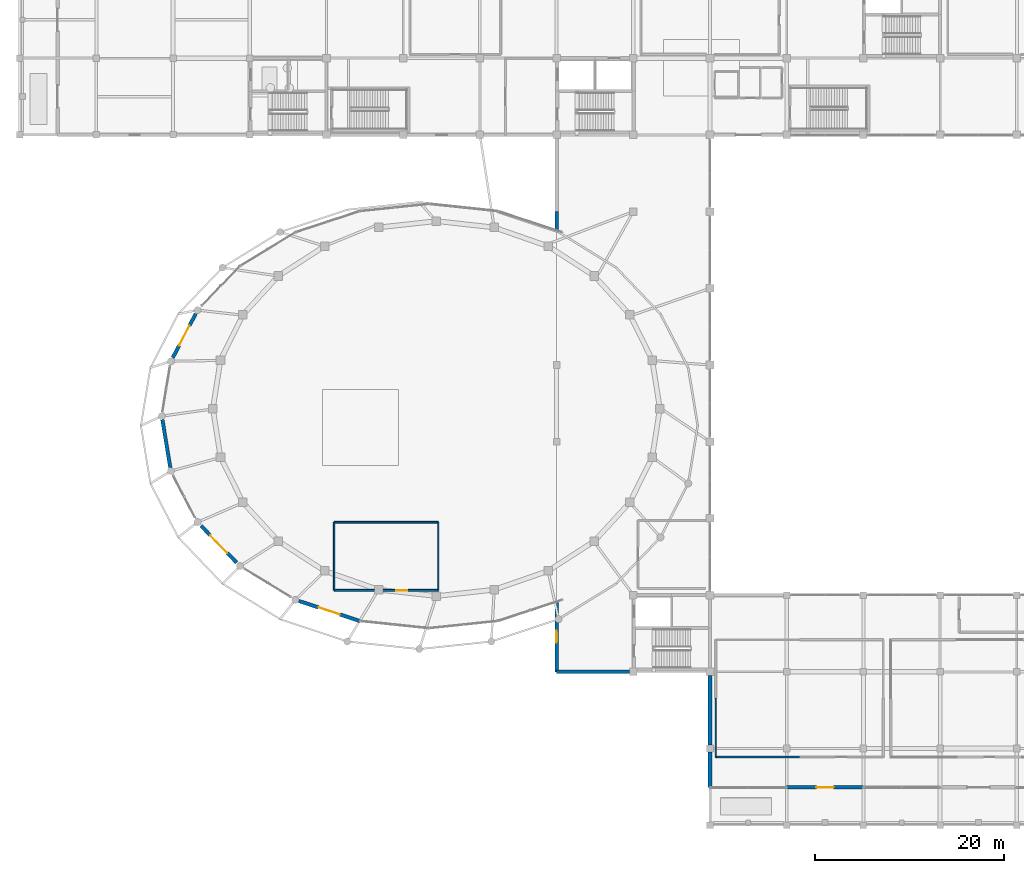
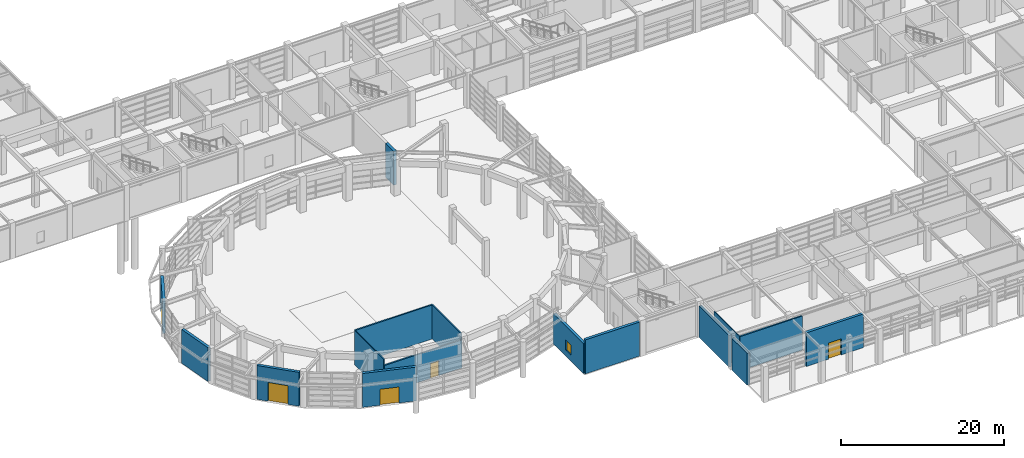
# One storey, part 35 of 52: 16 walls, 5 doors, 1 window, 6 openings.
"""IFC4 building model written with IfcOpenShell, lengths in metres."""

import ifcopenshell
import ifcopenshell.guid

model = None  # the IFC model being written
_history = None  # IfcOwnerHistory: only IFC2X3 demands one
_inside = {}  # id of a spatial element -> (the spatial element, [elements in it])
_under = {}  # id of a project, library or spatial element -> (it, [spatial elements below it])
_declared = {}  # id of a project -> (the project, [libraries it declares])
_typed = {}  # id of a type object -> (the type object, [elements of that type])
_made_of = {}  # id of a material, layer set ... -> (it, [elements and type objects made of it])


def new_model(schema):
    """Start an empty IFC model of exactly this schema.

    Asked for "IFC4X3", IfcOpenShell would pick the latest addendum, in which some entities
    have other attributes; the version numbers below select the first issue.
    IFC2X3 requires an IfcOwnerHistory on every rooted entity: one is made here for all.
    """
    global model, _history
    if schema == "IFC4X3":
        model = ifcopenshell.file(schema_version=(4, 3, 0, 0))
    else:
        model = ifcopenshell.file(schema=schema)
    _inside.clear()
    _under.clear()
    _declared.clear()
    _typed.clear()
    _made_of.clear()
    _history = None
    if model.schema == "IFC2X3":
        org = make("IfcOrganization", Name="unknown")
        user = make(
            "IfcPersonAndOrganization",
            ThePerson=make("IfcPerson", FamilyName="unknown"),
            TheOrganization=org,
        )
        app = make(
            "IfcApplication",
            ApplicationDeveloper=org,
            Version="unknown",
            ApplicationFullName="unknown",
            ApplicationIdentifier="unknown",
        )
        _history = make(
            "IfcOwnerHistory",
            OwningUser=user,
            OwningApplication=app,
            ChangeAction="ADDED",
            CreationDate=0,
        )
    return model


def make(cls, **values):
    """One entity of the class cls with the attributes given. An attribute that is None is left unset."""
    return model.create_entity(
        cls, **{name: value for name, value in values.items() if value is not None}
    )


def rooted(cls, **values):
    """An entity with a GlobalId (a new one), such as an element, a storey or a relation."""
    return make(cls, GlobalId=ifcopenshell.guid.new(), OwnerHistory=_history, **values)


def si_unit(unit_type, name, prefix=None):
    """IfcSIUnit, for example si_unit("LENGTHUNIT", "METRE", prefix="MILLI")."""
    return make("IfcSIUnit", UnitType=unit_type, Prefix=prefix, Name=name)


def assignment(units):
    """IfcUnitAssignment: the units of a project."""
    return None if units is None else make("IfcUnitAssignment", Units=units)


def point(xyz):
    """IfcCartesianPoint."""
    return None if xyz is None else make("IfcCartesianPoint", Coordinates=xyz)


def direction(xyz):
    """IfcDirection."""
    return None if xyz is None else make("IfcDirection", DirectionRatios=xyz)


def frame(location, z_axis=None, x_axis=None):
    """IfcAxis2Placement3D, a coordinate frame: its origin and axes. An axis left out is left unset."""
    return make(
        "IfcAxis2Placement3D",
        Location=point(location),
        Axis=direction(z_axis),
        RefDirection=direction(x_axis),
    )


def frame_2d(location, x_axis=None):
    """IfcAxis2Placement2D, a coordinate frame in the plane: its origin and x axis."""
    return make(
        "IfcAxis2Placement2D", Location=point(location), RefDirection=direction(x_axis)
    )


def origin():
    """The frame at (0, 0, 0) with its axes left unset."""
    return frame((0.0, 0.0, 0.0))


def place(relative_to, where):
    """IfcLocalPlacement: puts the frame where relative to a parent placement (None: the world)."""
    return make(
        "IfcLocalPlacement", PlacementRelTo=relative_to, RelativePlacement=where
    )


def context(
    kind, dimensions, precision=None, world=None, true_north=None, identifier=None
):
    """IfcGeometricRepresentationContext, for example the 3D "Model" context."""
    return make(
        "IfcGeometricRepresentationContext",
        ContextIdentifier=identifier,
        ContextType=kind,
        CoordinateSpaceDimension=dimensions,
        Precision=precision,
        WorldCoordinateSystem=world,
        TrueNorth=true_north,
    )


def subcontext(parent, identifier, kind, view, scale=None):
    """IfcGeometricRepresentationSubContext, for example "Body" below "Model"."""
    return make(
        "IfcGeometricRepresentationSubContext",
        ContextIdentifier=identifier,
        ContextType=kind,
        ParentContext=parent,
        TargetScale=scale,
        TargetView=view,
    )


def project(units=None, contexts=None):
    """IfcProject with its units and contexts."""
    return rooted(
        "IfcProject",
        Name="project",
        RepresentationContexts=contexts,
        UnitsInContext=assignment(units),
    )


def spatial(cls, under=None, at=None, **own):
    """A site, building, storey or space (cls), placed at a placement, below another one or the project."""
    s = rooted(cls, ObjectPlacement=at, **own)
    if under is not None:
        _under.setdefault(under.id(), (under, []))[1].append(s)
    return s


def profile(cls, at=None, kind="AREA", **sizes):
    """A parametric profile (cls). Its sizes go by their IFC names, for example OverallWidth=200.0."""
    return make(cls, ProfileType=kind, Position=at, **sizes)


def rectangle(**sizes):
    """IfcRectangleProfileDef."""
    return profile("IfcRectangleProfileDef", **sizes)


def extrude(swept, where, along, depth):
    """IfcExtrudedAreaSolid: the profile swept, set in the frame where, extruded along a direction by depth."""
    return make(
        "IfcExtrudedAreaSolid",
        SweptArea=swept,
        Position=where,
        ExtrudedDirection=direction(along),
        Depth=depth,
    )


def shape(context_of_items, identifier, shape_type, items):
    """IfcShapeRepresentation: the items that make up one representation, for example the "Body"."""
    return make(
        "IfcShapeRepresentation",
        ContextOfItems=context_of_items,
        RepresentationIdentifier=identifier,
        RepresentationType=shape_type,
        Items=items,
    )


def material(Name=None, Category=None):
    """IfcMaterial."""
    return make("IfcMaterial", Name=Name, Category=Category)


def layer(
    of_material, thickness, ventilated=None, Name=None, Category=None, Priority=None
):
    """IfcMaterialLayer: one layer of a wall or slab, of a material (None: an air gap)."""
    return make(
        "IfcMaterialLayer",
        Material=of_material,
        LayerThickness=thickness,
        IsVentilated=ventilated,
        Name=Name,
        Category=Category,
        Priority=Priority,
    )


def layer_set(layers, Name=None):
    """IfcMaterialLayerSet."""
    return make("IfcMaterialLayerSet", MaterialLayers=layers, LayerSetName=Name)


def made_of(thing, what):
    """Note that an element or type object is made of a material, layer set ...; save() writes the relation."""
    if what is not None:
        _made_of.setdefault(what.id(), (what, []))[1].append(thing)
    return thing


def type_object(cls, material=None, **own):
    """A type object (cls), such as IfcWallType, which elements share."""
    return made_of(rooted(cls, **own), material)


def element(
    cls,
    number,
    at=None,
    inside=None,
    cuts=None,
    type_object=None,
    material=None,
    context=None,
    identifier="Body",
    shape_type=None,
    held_by="IfcProductDefinitionShape",
    body=None,
    shapes=None,
    **own,
):
    """One element of the class cls, such as IfcWall. Its Tag is "e" and its number.

    at: its placement. inside: the storey or other place that contains it. cuts: it is an
    opening in that element (IfcRelVoidsElement). A single representation is given by context,
    identifier, shape_type and body (its items); several are given by shapes. held_by: the class
    of the entity that holds the representations. save() writes the other relations.
    """
    e = rooted(cls, Tag="e%d" % number, ObjectPlacement=at, **own)
    if body is not None:
        shapes = [shape(context, identifier, shape_type, body)]
    if shapes is not None:
        e.Representation = make(held_by, Representations=shapes)
    if inside is not None:
        _inside.setdefault(inside.id(), (inside, []))[1].append(e)
    if cuts is not None:
        rooted(
            "IfcRelVoidsElement", RelatingBuildingElement=cuts, RelatedOpeningElement=e
        )
    if type_object is not None:
        _typed.setdefault(type_object.id(), (type_object, []))[1].append(e)
    return made_of(e, material)


def fill(opening, filler):
    """IfcRelFillsElement: the door or window that sits in an opening."""
    return rooted(
        "IfcRelFillsElement",
        RelatingOpeningElement=opening,
        RelatedBuildingElement=filler,
    )


def aggregate(whole, parts):
    """IfcRelAggregates: a whole, such as a stair, and the parts it consists of."""
    return rooted("IfcRelAggregates", RelatingObject=whole, RelatedObjects=parts)


def save(model, path):
    """Write the relations noted so far, then the file.

    IfcRelAggregates (storeys below a building ...), IfcRelContainedInSpatialStructure (elements
    in a storey), IfcRelDefinesByType, IfcRelAssociatesMaterial and IfcRelDeclares: one each for
    every whole, place, type object, material and project.
    """
    for whole, parts in _under.values():
        aggregate(whole, parts)
    for where, things in _inside.values():
        rooted(
            "IfcRelContainedInSpatialStructure",
            RelatedElements=things,
            RelatingStructure=where,
        )
    for kind, things in _typed.values():
        rooted("IfcRelDefinesByType", RelatedObjects=things, RelatingType=kind)
    for what, things in _made_of.values():
        rooted("IfcRelAssociatesMaterial", RelatedObjects=things, RelatingMaterial=what)
    for by, libraries in _declared.values():
        rooted("IfcRelDeclares", RelatingContext=by, RelatedDefinitions=libraries)
    model.write(path)


model = new_model("IFC4")

# Units and contexts
model_context = context("Model", 3, precision=1e-05, world=origin(), true_north=direction((0.0, 1.0)))
body_context = subcontext(model_context, "Body", "Model", "MODEL_VIEW")
ifc_project = project(units=[si_unit("LENGTHUNIT", "METRE"), si_unit("AREAUNIT", "SQUARE_METRE"), si_unit("VOLUMEUNIT", "CUBIC_METRE"), si_unit("PLANEANGLEUNIT", "RADIAN"), si_unit("MASSUNIT", "GRAM", prefix="KILO")], contexts=[model_context])

# Site, building, storey
site_placement = place(None, origin())
site = spatial("IfcSite", under=ifc_project, at=site_placement, CompositionType="ELEMENT")
building_placement = place(site_placement, origin())
building = spatial("IfcBuilding", under=site, at=building_placement, Name="Parian Resonance Hall", CompositionType="ELEMENT")
storey_placement = place(building_placement, origin())
storey = spatial("IfcBuildingStorey", under=building, at=storey_placement, Name="L00", CompositionType="ELEMENT", Elevation=0.0)

# Wall, opening, door
ifc_material_1 = material(Name="Concrete C35/45 with Carcar coral-limestone ashlar", Category="masonry")
ifc_layer_1 = layer(ifc_material_1, 0.3798828125)
ifc_layer_set_1 = layer_set([ifc_layer_1], Name="Concrete C35/45 with Carcar coral-limestone ashlar")
wall_type_1 = type_object("IfcWallType", Name="EW-PLINTH-380", PredefinedType="SOLIDWALL", material=ifc_layer_set_1)
wall_1_placement = place(storey_placement, frame((16.156494140625, 49.37255859375, 0.0), z_axis=(0.0, 0.0, 1.0), x_axis=(0.462373582157, 0.886685215013, 0.0)))
wall_1 = element("IfcWall", 1, at=wall_1_placement, inside=storey, type_object=wall_type_1, Name="Exterior wall EW-L00-0001", PredefinedType="SOLIDWALL", context=body_context, shape_type="SweptSolid", body=[
    extrude(rectangle(XDim=5.246826171875, YDim=0.3798828125, at=frame_2d((2.62353515625, 0.0))), origin(), (0.0, 0.0, 1.0), 5.080078125),
])
opening_1_placement = place(wall_1_placement, frame((1.443603515625, 0.0, 0.0)))
opening_1 = element("IfcOpeningElement", 2, at=opening_1_placement, cuts=wall_1, Name="Opening EX-01", PredefinedType="OPENING", context=body_context, shape_type="SweptSolid", body=[
    extrude(rectangle(XDim=2.360107421875, YDim=2.39990234375, at=frame_2d((1.18017578125, 1.199951171875))), frame((0.0, 0.199951171875, 0.0), z_axis=(0.0, -1.0, 0.0), x_axis=(1.0, 0.0, 0.0)), (0.0, 0.0, 1.0), 0.39990234375),
])
ifc_material_2 = material(Name="Marine-grade bronze and acoustic glazed door")
door_type_1 = type_object("IfcDoorType", Name="ED-EXIT-2000x2400", OperationType="NOTDEFINED", PredefinedType="DOOR", material=ifc_material_2)
door_1_placement = place(opening_1_placement, origin())
door_1 = element("IfcDoor", 3, at=door_1_placement, inside=storey, type_object=door_type_1, Name="Grand foyer final exit door EX-V1-01", OperationType="DOUBLE_DOOR_SINGLE_SWING", OverallHeight=2.39990234375, OverallWidth=2.360107421875, PredefinedType="DOOR", context=body_context, shape_type="SweptSolid", body=[
    extrude(rectangle(XDim=2.360107421875, YDim=2.39990234375, at=frame_2d((1.18017578125, 1.199951171875))), frame((0.0, 0.02490234375, 0.0), z_axis=(0.0, -1.0, 0.0), x_axis=(1.0, 0.0, 0.0)), (0.0, 0.0, 1.0), 0.050048828125),
])
fill(opening_1, door_1)

# Wall
wall_2_placement = place(storey_placement, frame((15.898681640625, 37.777587890625, 0.0), z_axis=(0.0, 0.0, 1.0), x_axis=(-0.163485804501, 0.986545686589, 0.0)))
element("IfcWall", 4, at=wall_2_placement, inside=storey, type_object=wall_type_1, Name="Exterior wall EW-L00-0002", PredefinedType="SOLIDWALL", context=body_context, shape_type="SweptSolid", body=[
    extrude(rectangle(XDim=5.1162109375, YDim=0.3798828125, at=frame_2d((2.55810546875, 0.0))), origin(), (0.0, 0.0, 1.0), 5.080078125),
])

# Wall, opening, door
wall_3_placement = place(storey_placement, frame((22.897216796875, 27.73583984375, 0.0), z_axis=(0.0, 0.0, 1.0), x_axis=(-0.694765313224, 0.719236511546, 0.0)))
wall_3 = element("IfcWall", 5, at=wall_3_placement, inside=storey, type_object=wall_type_1, Name="Exterior wall EW-L00-0003", PredefinedType="SOLIDWALL", context=body_context, shape_type="SweptSolid", body=[
    extrude(rectangle(XDim=5.4072265625, YDim=0.3798828125, at=frame_2d((2.70361328125, 0.0))), origin(), (0.0, 0.0, 1.0), 5.080078125),
])
opening_2_placement = place(wall_3_placement, frame((1.423583984375, 0.0, 0.0)))
opening_2 = element("IfcOpeningElement", 6, at=opening_2_placement, cuts=wall_3, Name="Opening EX-02", PredefinedType="OPENING", context=body_context, shape_type="SweptSolid", body=[
    extrude(rectangle(XDim=2.56005859375, YDim=2.800048828125, at=frame_2d((1.280029296875, 1.39990234375))), frame((0.0, 0.199951171875, 0.0), z_axis=(0.0, -1.0, 0.0), x_axis=(1.0, 0.0, 0.0)), (0.0, 0.0, 1.0), 0.39990234375),
])
ifc_material_3 = material(Name="Marine-grade bronze and acoustic glazed door")
door_type_2 = type_object("IfcDoorType", Name="ED-MAIN-2400x2800", OperationType="NOTDEFINED", PredefinedType="DOOR", material=ifc_material_3)
door_2_placement = place(opening_2_placement, origin())
door_2 = element("IfcDoor", 7, at=door_2_placement, inside=storey, type_object=door_type_2, Name="Grand foyer final exit door EX-V1-03", OperationType="DOUBLE_DOOR_SINGLE_SWING", OverallHeight=2.800048828125, OverallWidth=2.56005859375, PredefinedType="DOOR", context=body_context, shape_type="SweptSolid", body=[
    extrude(rectangle(XDim=2.56005859375, YDim=2.800048828125, at=frame_2d((1.280029296875, 1.39990234375))), frame((0.0, 0.02490234375, 0.0), z_axis=(0.0, -1.0, 0.0), x_axis=(1.0, 0.0, 0.0)), (0.0, 0.0, 1.0), 0.050048828125),
])
fill(opening_2, door_2)

wall_4_placement = place(storey_placement, frame((35.9013671875, 21.563232421875, 0.0), z_axis=(0.0, 0.0, 1.0), x_axis=(-0.949910284605, 0.312522721096, 0.0)))
wall_4 = element("IfcWall", 8, at=wall_4_placement, inside=storey, type_object=wall_type_1, Name="Exterior wall EW-L00-0004", PredefinedType="SOLIDWALL", context=body_context, shape_type="SweptSolid", body=[
    extrude(rectangle(XDim=6.76513671875, YDim=0.3798828125, at=frame_2d((3.382568359375, 0.0))), origin(), (0.0, 0.0, 1.0), 5.080078125),
])
opening_3_placement = place(wall_4_placement, frame((2.20263671875, 0.0, 0.0)))
opening_3 = element("IfcOpeningElement", 9, at=opening_3_placement, cuts=wall_4, Name="Opening EX-01", PredefinedType="OPENING", context=body_context, shape_type="SweptSolid", body=[
    extrude(rectangle(XDim=2.360107421875, YDim=2.39990234375, at=frame_2d((1.18017578125, 1.199951171875))), frame((0.0, 0.199951171875, 0.0), z_axis=(0.0, -1.0, 0.0), x_axis=(1.0, 0.0, 0.0)), (0.0, 0.0, 1.0), 0.39990234375),
])
door_3_placement = place(opening_3_placement, origin())
door_3 = element("IfcDoor", 10, at=door_3_placement, inside=storey, type_object=door_type_1, Name="Grand foyer final exit door EX-V1-04", OperationType="DOUBLE_DOOR_SINGLE_SWING", OverallHeight=2.39990234375, OverallWidth=2.360107421875, PredefinedType="DOOR", context=body_context, shape_type="SweptSolid", body=[
    extrude(rectangle(XDim=2.360107421875, YDim=2.39990234375, at=frame_2d((1.18017578125, 1.199951171875))), frame((0.0, 0.02490234375, 0.0), z_axis=(0.0, -1.0, 0.0), x_axis=(1.0, 0.0, 0.0)), (0.0, 0.0, 1.0), 0.050048828125),
])
fill(opening_3, door_3)

wall_5_placement = place(storey_placement, frame((89.10009765625, 4.0, 0.0), z_axis=(0.0, 0.0, 1.0), x_axis=(-1.0, 0.0, 0.0)))
wall_5 = element("IfcWall", 11, at=wall_5_placement, inside=storey, type_object=wall_type_1, Name="Exterior wall EW-L00-0128", PredefinedType="SOLIDWALL", context=body_context, shape_type="SweptSolid", body=[
    extrude(rectangle(XDim=8.10009765625, YDim=0.3798828125, at=frame_2d((4.050048828125, 0.0))), origin(), (0.0, 0.0, 1.0), 5.050048828125),
])
opening_4_placement = place(wall_5_placement, frame((3.139892578125, 0.0, 0.0)))
opening_4 = element("IfcOpeningElement", 12, at=opening_4_placement, cuts=wall_5, Name="Opening EX-03", PredefinedType="OPENING", context=body_context, shape_type="SweptSolid", body=[
    extrude(rectangle(XDim=1.820068359375, YDim=2.419921875, at=frame_2d((0.91015625, 1.2099609375))), frame((0.0, 0.199951171875, 0.0), z_axis=(0.0, -1.0, 0.0), x_axis=(1.0, 0.0, 0.0)), (0.0, 0.0, 1.0), 0.39990234375),
])
ifc_material_4 = material(Name="Marine-grade bronze and acoustic glazed door")
door_type_3 = type_object("IfcDoorType", Name="ED-SHOP-1820x2420", OperationType="NOTDEFINED", PredefinedType="DOOR", material=ifc_material_4)
door_4_placement = place(opening_4_placement, origin())
door_4 = element("IfcDoor", 13, at=door_4_placement, inside=storey, type_object=door_type_3, Name="South boulevard exit door EX-V3-10", OperationType="DOUBLE_DOOR_SINGLE_SWING", OverallHeight=2.419921875, OverallWidth=1.820068359375, PredefinedType="DOOR", context=body_context, shape_type="SweptSolid", body=[
    extrude(rectangle(XDim=1.820068359375, YDim=2.419921875, at=frame_2d((0.91015625, 1.2099609375))), frame((0.0, 0.02490234375, 0.0), z_axis=(0.0, -1.0, 0.0), x_axis=(1.0, 0.0, 0.0)), (0.0, 0.0, 1.0), 0.050048828125),
])
fill(opening_4, door_4)

# Wall
wall_6_placement = place(storey_placement, frame((56.699951171875, 64.800048828125, 0.0), z_axis=(0.0, 0.0, 1.0), x_axis=(0.0, -1.0, 0.0)))
element("IfcWall", 14, at=wall_6_placement, inside=storey, type_object=wall_type_1, Name="Perimeter closure wall L00", PredefinedType="SOLIDWALL", context=body_context, shape_type="SweptSolid", body=[
    extrude(rectangle(XDim=2.004150390625, YDim=0.3798828125, at=frame_2d((1.001953125, 0.0))), origin(), (0.0, 0.0, 1.0), 5.10009765625),
])

# Wall, opening, window
wall_7_placement = place(storey_placement, frame((56.699951171875, 23.60400390625, 0.0), z_axis=(0.0, 0.0, 1.0), x_axis=(0.0, -1.0, 0.0)))
wall_7 = element("IfcWall", 15, at=wall_7_placement, inside=storey, type_object=wall_type_1, Name="Perimeter closure wall L00", PredefinedType="SOLIDWALL", context=body_context, shape_type="SweptSolid", body=[
    extrude(rectangle(XDim=7.404052734375, YDim=0.3798828125, at=frame_2d((3.7021484375, 0.0))), origin(), (0.0, 0.0, 1.0), 4.507080078125),
])
opening_5_placement = place(wall_7_placement, frame((3.076904296875, 0.0, 0.89990234375)))
opening_5 = element("IfcOpeningElement", 16, at=opening_5_placement, cuts=wall_7, Name="Opening WN-14", PredefinedType="OPENING", context=body_context, shape_type="SweptSolid", body=[
    extrude(rectangle(XDim=1.25, YDim=1.550048828125, at=frame_2d((0.625, 0.77490234375))), frame((0.0, 0.199951171875, 0.0), z_axis=(0.0, -1.0, 0.0), x_axis=(1.0, 0.0, 0.0)), (0.0, 0.0, 1.0), 0.39990234375),
])
ifc_material_5 = material(Name="Acoustic laminated double glazing", Category="glass")
window_type = type_object("IfcWindowType", Name="WIN-1250x1550", PartitioningType="SINGLE_PANEL", PredefinedType="WINDOW", material=ifc_material_5)
window_placement = place(opening_5_placement, origin())
window = element("IfcWindow", 17, at=window_placement, inside=storey, type_object=window_type, Name="Acoustic window L00-0055", OverallHeight=1.550048828125, OverallWidth=1.25, PartitioningType="SINGLE_PANEL", PredefinedType="WINDOW", context=body_context, shape_type="SweptSolid", body=[
    extrude(rectangle(XDim=1.25, YDim=1.550048828125, at=frame_2d((0.625, 0.77490234375))), frame((0.0, 0.030029296875, 0.0), z_axis=(0.0, -1.0, 0.0), x_axis=(1.0, 0.0, 0.0)), (0.0, 0.0, 1.0), 0.06005859375),
])
fill(opening_5, window)

# Walls
wall_8_placement = place(storey_placement, frame((56.699951171875, 16.199951171875, 0.0), z_axis=(0.0, 0.0, 1.0), x_axis=(1.0, 0.0, 0.0)))
element("IfcWall", 18, at=wall_8_placement, inside=storey, type_object=wall_type_1, Name="Perimeter closure wall L00", PredefinedType="SOLIDWALL", context=body_context, shape_type="SweptSolid", body=[
    extrude(rectangle(XDim=7.699951171875, YDim=0.3798828125, at=frame_2d((3.85009765625, 0.0))), origin(), (0.0, 0.0, 1.0), 5.10009765625),
])
wall_9_placement = place(storey_placement, frame((72.89990234375, 15.800048828125, 0.0), z_axis=(0.0, 0.0, 1.0), x_axis=(0.0, -1.0, 0.0)))
element("IfcWall", 19, at=wall_9_placement, inside=storey, type_object=wall_type_1, Name="Perimeter closure wall L00", PredefinedType="SOLIDWALL", context=body_context, shape_type="SweptSolid", body=[
    extrude(rectangle(XDim=7.35009765625, YDim=0.3798828125, at=frame_2d((3.675048828125, 0.0))), origin(), (0.0, 0.0, 1.0), 4.737060546875),
])
wall_10_placement = place(storey_placement, frame((72.89990234375, 7.75, 0.0), z_axis=(0.0, 0.0, 1.0), x_axis=(0.0, -1.0, 0.0)))
element("IfcWall", 20, at=wall_10_placement, inside=storey, type_object=wall_type_1, Name="Perimeter closure wall L00", PredefinedType="SOLIDWALL", context=body_context, shape_type="SweptSolid", body=[
    extrude(rectangle(XDim=3.75, YDim=0.3798828125, at=frame_2d((1.875, 0.0))), origin(), (0.0, 0.0, 1.0), 4.737060546875),
])

# Wall, opening, door
ifc_material_6 = material(Name="Concrete C35/45 fire barrier", Category="concrete")
ifc_layer_2 = layer(ifc_material_6, 0.199951171875)
ifc_layer_set_2 = layer_set([ifc_layer_2], Name="Concrete C35/45 fire barrier")
wall_type_2 = type_object("IfcWallType", Name="FW200", PredefinedType="PARTITIONING", material=ifc_layer_set_2)
wall_11_placement = place(storey_placement, frame((44.199951171875, 24.800048828125, 0.0), z_axis=(0.0, 0.0, 1.0), x_axis=(-1.0, 0.0, 0.0)))
wall_11 = element("IfcWall", 21, at=wall_11_placement, inside=storey, type_object=wall_type_2, Name="Interior acoustic partition IW-L00-0046", PredefinedType="PARTITIONING", context=body_context, shape_type="SweptSolid", body=[
    extrude(rectangle(XDim=11.0, YDim=0.199951171875, at=frame_2d((5.5, 0.0))), origin(), (0.0, 0.0, 1.0), 4.22412109375),
])
opening_6_placement = place(wall_11_placement, frame((3.260009765625, 0.0, 0.0)))
opening_6 = element("IfcOpeningElement", 22, at=opening_6_placement, cuts=wall_11, Name="Opening ID-11", PredefinedType="OPENING", context=body_context, shape_type="SweptSolid", body=[
    extrude(rectangle(XDim=1.179931640625, YDim=2.219970703125, at=frame_2d((0.58984375, 1.10986328125))), frame((0.0, 0.10986328125, 0.0), z_axis=(0.0, -1.0, 0.0), x_axis=(1.0, 0.0, 0.0)), (0.0, 0.0, 1.0), 0.219970703125),
])
ifc_material_7 = material(Name="Philippine narra acoustic timber door", Category="wood")
door_type_4 = type_object("IfcDoorType", Name="ID-STU-1180x2220", OperationType="NOTDEFINED", PredefinedType="DOOR", material=ifc_material_7)
door_5_placement = place(opening_6_placement, origin())
door_5 = element("IfcDoor", 23, at=door_5_placement, inside=storey, type_object=door_type_4, Name="Box Office and Ticket Counters door", OperationType="SINGLE_SWING_RIGHT", OverallHeight=2.219970703125, OverallWidth=1.179931640625, PredefinedType="DOOR", context=body_context, shape_type="SweptSolid", body=[
    extrude(rectangle(XDim=1.179931640625, YDim=2.219970703125, at=frame_2d((0.58984375, 1.10986328125))), frame((0.0, 0.02490234375, 0.0), z_axis=(0.0, -1.0, 0.0), x_axis=(1.0, 0.0, 0.0)), (0.0, 0.0, 1.0), 0.050048828125),
])
fill(opening_6, door_5)

# Walls
wall_12_placement = place(storey_placement, frame((33.199951171875, 32.0, 0.0), z_axis=(0.0, 0.0, 1.0), x_axis=(1.0, 0.0, 0.0)))
element("IfcWall", 24, at=wall_12_placement, inside=storey, type_object=wall_type_2, Name="Interior acoustic partition IW-L00-0048", PredefinedType="PARTITIONING", context=body_context, shape_type="SweptSolid", body=[
    extrude(rectangle(XDim=11.0, YDim=0.199951171875, at=frame_2d((5.5, 0.0))), origin(), (0.0, 0.0, 1.0), 5.1201171875),
])
wall_13_placement = place(storey_placement, frame((82.35009765625, 7.199951171875, 0.0), z_axis=(0.0, 0.0, 1.0), x_axis=(-1.0, 0.0, 0.0)))
element("IfcWall", 25, at=wall_13_placement, inside=storey, type_object=wall_type_2, Name="Interior acoustic partition IW-L00-0054", PredefinedType="PARTITIONING", context=body_context, shape_type="SweptSolid", body=[
    extrude(rectangle(XDim=8.85009765625, YDim=0.199951171875, at=frame_2d((4.425048828125, 0.0))), origin(), (0.0, 0.0, 1.0), 5.1201171875),
])
ifc_material_8 = material(Name="Concrete C35/45 acoustic masonry partition", Category="masonry")
ifc_layer_3 = layer(ifc_material_8, 0.1201171875)
ifc_layer_set_3 = layer_set([ifc_layer_3], Name="Concrete C35/45 acoustic masonry partition")
wall_type_3 = type_object("IfcWallType", Name="PW120", PredefinedType="PARTITIONING", material=ifc_layer_set_3)
wall_14_placement = place(storey_placement, frame((73.5, 7.199951171875, 0.0), z_axis=(0.0, 0.0, 1.0), x_axis=(0.0, 1.0, 0.0)))
element("IfcWall", 26, at=wall_14_placement, inside=storey, type_object=wall_type_3, Name="Interior acoustic partition IW-L00-0055", PredefinedType="PARTITIONING", context=body_context, shape_type="SweptSolid", body=[
    extrude(rectangle(XDim=6.199951171875, YDim=0.1201171875, at=frame_2d((3.10009765625, 0.0))), origin(), (0.0, 0.0, 1.0), 5.1201171875),
])
ifc_material_9 = material(Name="Concrete C35/45 acoustic masonry partition", Category="masonry")
ifc_layer_4 = layer(ifc_material_9, 0.139892578125)
ifc_layer_set_4 = layer_set([ifc_layer_4], Name="Concrete C35/45 acoustic masonry partition")
wall_type_4 = type_object("IfcWallType", Name="PW140", PredefinedType="PARTITIONING", material=ifc_layer_set_4)
for number, where, z_axis, x_axis, name in (
    (27, (44.199951171875, 32.0, 0.0), (0.0, 0.0, 1.0), (0.0, -1.0, 0.0), "Interior acoustic partition IW-L00-0045"),
    (28, (33.199951171875, 24.800048828125, 0.0), (0.0, 0.0, 1.0), (0.0, 1.0, 0.0), "Interior acoustic partition IW-L00-0047"),
):
    element("IfcWall", number, at=place(storey_placement, frame(where, z_axis=z_axis, x_axis=x_axis)), inside=storey, type_object=wall_type_4, Name=name, PredefinedType="PARTITIONING", context=body_context, shape_type="SweptSolid", body=[
        extrude(rectangle(XDim=7.199951171875, YDim=0.139892578125, at=frame_2d((3.60009765625, 0.0))), origin(), (0.0, 0.0, 1.0), 5.1201171875),
    ])

save(model, "model.ifc")
